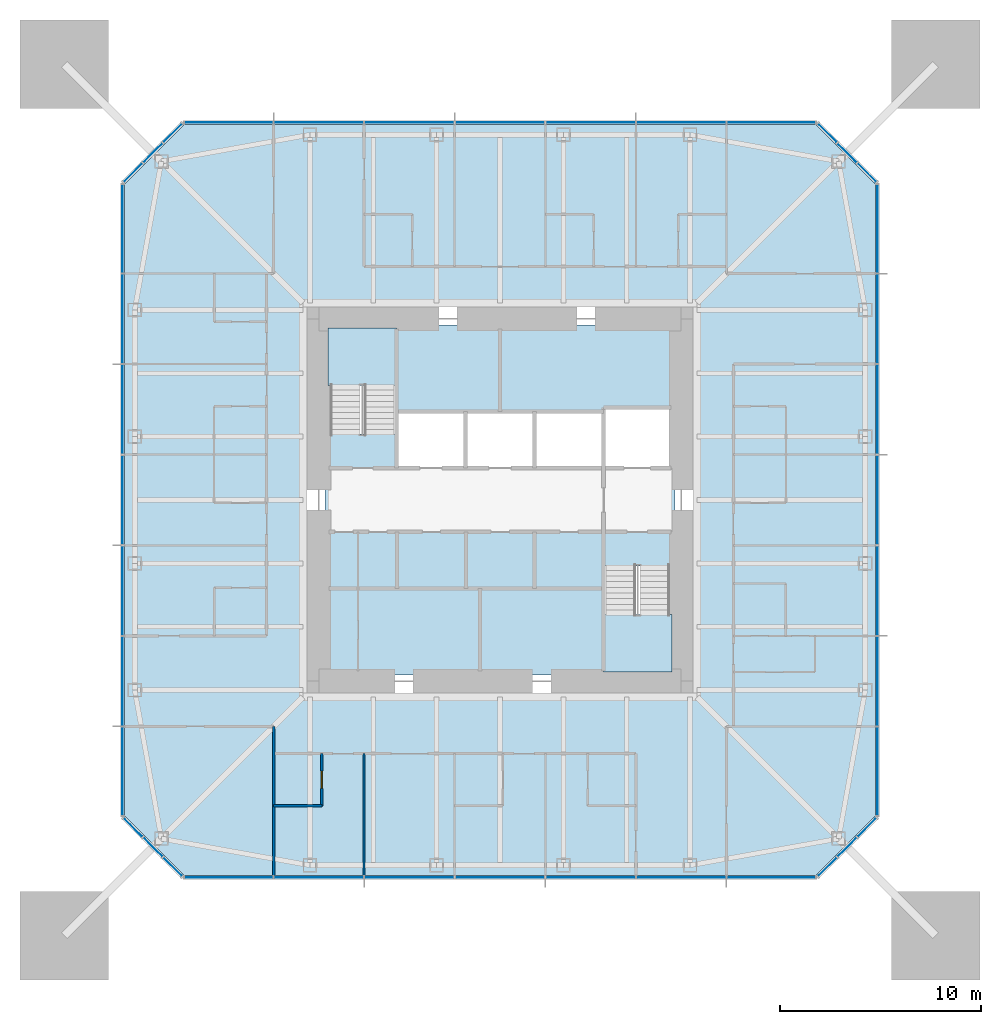
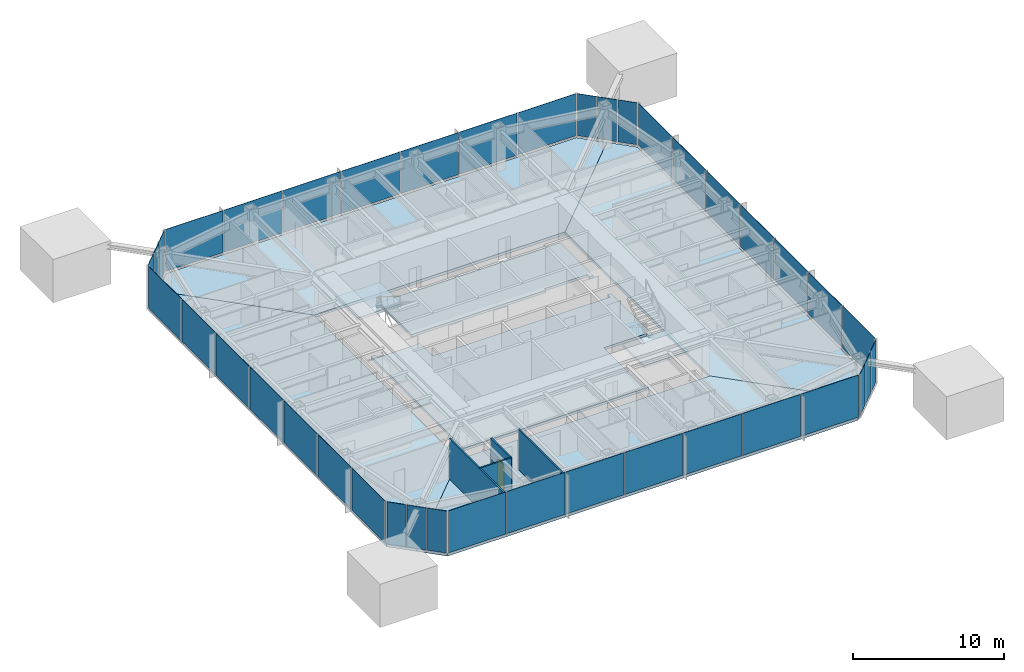
# One storey, part 5 of 12: 40 plates, 8 slabs, 4 walls, 1 door, 1 opening, 10 elements without a shape of their own.
"""IFC4 building model written with IfcOpenShell, lengths in metres."""

from ifc_helpers import new_model, si_unit, direction, frame, frame_2d, origin, origin_2d, place, context, subcontext, project, spatial, polyline, rectangle, outline, extrude, material, layer, layer_set, constituent, constituent_set, type_object, element, fill, aggregate, save


model = new_model("IFC4")

# Units and contexts
model_context = context("Model", 3, precision=1e-05, world=origin(), true_north=direction((0.0, 1.0)))
body_context = subcontext(model_context, "Body", "Model", "MODEL_VIEW")
ifc_project = project(units=[si_unit("LENGTHUNIT", "METRE"), si_unit("AREAUNIT", "SQUARE_METRE"), si_unit("VOLUMEUNIT", "CUBIC_METRE"), si_unit("PLANEANGLEUNIT", "RADIAN"), si_unit("MASSUNIT", "GRAM", prefix="KILO")], contexts=[model_context])

# Site, building, storey
site_placement = place(None, origin())
site = spatial("IfcSite", under=ifc_project, at=site_placement, CompositionType="ELEMENT")
building_placement = place(site_placement, origin())
building = spatial("IfcBuilding", under=site, at=building_placement, Name="Iwan Alto Co-Living Towers", CompositionType="ELEMENT")
storey_placement = place(building_placement, frame((0.0, 0.0, 153.0)))
storey = spatial("IfcBuildingStorey", under=building, at=storey_placement, Name="L41", CompositionType="ELEMENT", Elevation=153.0)

# Slabs
ifc_material_1 = material(Name="Concrete f'c 30 MPa", Category="concrete")
ifc_layer_1 = layer(ifc_material_1, 0.199951171875)
ifc_layer_set_1 = layer_set([ifc_layer_1], Name="CORE FLOOR SLAB 200")
slab_type_1 = type_object("IfcSlabType", Name="CORE FLOOR SLAB 200", PredefinedType="FLOOR", material=ifc_layer_set_1)
slab_1_placement = place(storey_placement, frame((0.0, 0.0, -0.199951171875)))
element("IfcSlab", 1, at=slab_1_placement, inside=storey, type_object=slab_type_1, Name="T1 core floor L41", PredefinedType="FLOOR", context=body_context, shape_type="SweptSolid", body=[
    extrude(outline(polyline([(5.14990234375, -8.39990234375), (5.4599609375, -8.39990234375), (5.4599609375, -8.699951171875), (-8.699951171875, -8.699951171875), (-8.699951171875, 3.580078125), (-8.39990234375, 3.580078125), (-8.39990234375, 3.27001953125), (-5.14990234375, 3.27001953125), (-5.14990234375, 1.60009765625), (-1.717041015625, 1.60009765625), (1.717041015625, 1.60009765625), (5.14990234375, 1.60009765625), (8.39990234375, 1.60009765625), (8.39990234375, 1.909912109375), (8.699951171875, 1.909912109375), (8.699951171875, -3.580078125), (8.39990234375, -3.580078125), (8.39990234375, -3.27001953125), (5.14990234375, -3.27001953125), (5.14990234375, -8.39990234375)])), origin(), (0.0, 0.0, 1.0), 0.199951171875),
])
slab_2_placement = place(storey_placement, frame((0.0, 0.0, -0.199951171875)))
element("IfcSlab", 2, at=slab_2_placement, inside=storey, type_object=slab_type_1, Name="T1 core floor L41", PredefinedType="FLOOR", context=body_context, shape_type="SweptSolid", body=[
    extrude(outline(polyline([(1.717041015625, 4.39990234375), (-1.717041015625, 4.39990234375), (-5.14990234375, 4.39990234375), (-5.14990234375, 8.39990234375), (-5.4599609375, 8.39990234375), (-5.4599609375, 8.699951171875), (8.699951171875, 8.699951171875), (8.699951171875, 4.2900390625), (8.39990234375, 4.2900390625), (8.39990234375, 4.60009765625), (5.14990234375, 4.60009765625), (5.14990234375, 4.39990234375), (1.717041015625, 4.39990234375)])), origin(), (0.0, 0.0, 1.0), 0.199951171875),
])

# Curtain wall, plates
ifc_material_2 = material(Name="Bronze aluminium unitised frame", Category="aluminium")
curtain_wall_type_1 = type_object("IfcCurtainWallType", Name="CURTAIN WALL CW-A", PredefinedType="NOTDEFINED", material=ifc_material_2)
curtain_wall_1_placement = place(storey_placement, origin())
curtain_wall_1 = element("IfcCurtainWall", 3, at=curtain_wall_1_placement, inside=storey, type_object=curtain_wall_type_1, Name="T1 curtain wall S L41", PredefinedType="NOTDEFINED")
ifc_material_3 = material(Name="Bronze-tinted insulating glass", Category="glass")
ifc_layer_2 = layer(ifc_material_3, 0.031982421875)
ifc_layer_set_2 = layer_set([ifc_layer_2], Name="CW-A PANEL TINTED IGU 32")
plate_type_1 = type_object("IfcPlateType", Name="CW-A PANEL TINTED IGU 32", PredefinedType="CURTAIN_PANEL", material=ifc_layer_set_2)
plate_1_placement = place(storey_placement, frame((-13.47998046875, -18.75, 0.10009765625), z_axis=(0.0, 0.0, 1.0), x_axis=(1.0, 0.0, 0.0)))
plate_1 = element("IfcPlate", 4, at=plate_1_placement, type_object=plate_type_1, Name="CW-A panel 1.1", PredefinedType="CURTAIN_PANEL", context=body_context, shape_type="SweptSolid", body=[
    extrude(rectangle(XDim=4.3798828125, YDim=0.031982421875, at=origin_2d()), origin(), (0.0, 0.0, 1.0), 3.39990234375),
])
plate_2_placement = place(storey_placement, frame((-9.0, -18.75, 0.10009765625), z_axis=(0.0, 0.0, 1.0), x_axis=(1.0, 0.0, 0.0)))
plate_2 = element("IfcPlate", 5, at=plate_2_placement, type_object=plate_type_1, Name="CW-A panel 2.1", PredefinedType="CURTAIN_PANEL", context=body_context, shape_type="SweptSolid", body=[
    extrude(rectangle(XDim=4.419921875, YDim=0.031982421875, at=origin_2d()), origin(), (0.0, 0.0, 1.0), 3.39990234375),
])
plate_3_placement = place(storey_placement, frame((-4.5, -18.75, 0.10009765625), z_axis=(0.0, 0.0, 1.0), x_axis=(1.0, 0.0, 0.0)))
plate_3 = element("IfcPlate", 6, at=plate_3_placement, type_object=plate_type_1, Name="CW-A panel 3.1", PredefinedType="CURTAIN_PANEL", context=body_context, shape_type="SweptSolid", body=[
    extrude(rectangle(XDim=4.419921875, YDim=0.031982421875, at=origin_2d()), origin(), (0.0, 0.0, 1.0), 3.39990234375),
])
plate_4_placement = place(storey_placement, frame((0.0, -18.75, 0.10009765625), z_axis=(0.0, 0.0, 1.0), x_axis=(1.0, 0.0, 0.0)))
plate_4 = element("IfcPlate", 7, at=plate_4_placement, type_object=plate_type_1, Name="CW-A panel 4.1", PredefinedType="CURTAIN_PANEL", context=body_context, shape_type="SweptSolid", body=[
    extrude(rectangle(XDim=4.419921875, YDim=0.031982421875, at=origin_2d()), origin(), (0.0, 0.0, 1.0), 3.39990234375),
])
plate_5_placement = place(storey_placement, frame((4.5, -18.75, 0.10009765625), z_axis=(0.0, 0.0, 1.0), x_axis=(1.0, 0.0, 0.0)))
plate_5 = element("IfcPlate", 8, at=plate_5_placement, type_object=plate_type_1, Name="CW-A panel 5.1", PredefinedType="CURTAIN_PANEL", context=body_context, shape_type="SweptSolid", body=[
    extrude(rectangle(XDim=4.419921875, YDim=0.031982421875, at=origin_2d()), origin(), (0.0, 0.0, 1.0), 3.39990234375),
])
plate_6_placement = place(storey_placement, frame((9.0, -18.75, 0.10009765625), z_axis=(0.0, 0.0, 1.0), x_axis=(1.0, 0.0, 0.0)))
plate_6 = element("IfcPlate", 9, at=plate_6_placement, type_object=plate_type_1, Name="CW-A panel 6.1", PredefinedType="CURTAIN_PANEL", context=body_context, shape_type="SweptSolid", body=[
    extrude(rectangle(XDim=4.419921875, YDim=0.031982421875, at=origin_2d()), origin(), (0.0, 0.0, 1.0), 3.39990234375),
])
plate_7_placement = place(storey_placement, frame((13.47998046875, -18.75, 0.10009765625), z_axis=(0.0, 0.0, 1.0), x_axis=(1.0, 0.0, 0.0)))
plate_7 = element("IfcPlate", 10, at=plate_7_placement, type_object=plate_type_1, Name="CW-A panel 7.1", PredefinedType="CURTAIN_PANEL", context=body_context, shape_type="SweptSolid", body=[
    extrude(rectangle(XDim=4.3798828125, YDim=0.031982421875, at=origin_2d()), origin(), (0.0, 0.0, 1.0), 3.39990234375),
])
aggregate(curtain_wall_1, [plate_1, plate_2, plate_3, plate_4, plate_5, plate_6, plate_7])

curtain_wall_2_placement = place(storey_placement, origin())
curtain_wall_2 = element("IfcCurtainWall", 11, at=curtain_wall_2_placement, inside=storey, type_object=curtain_wall_type_1, Name="T1 curtain wall E L41", PredefinedType="NOTDEFINED")
plate_8_placement = place(storey_placement, frame((18.75, -13.47998046875, 0.10009765625), z_axis=(0.0, 0.0, 1.0), x_axis=(0.0, 1.0, 0.0)))
plate_8 = element("IfcPlate", 12, at=plate_8_placement, type_object=plate_type_1, Name="CW-A panel 1.1", PredefinedType="CURTAIN_PANEL", context=body_context, shape_type="SweptSolid", body=[
    extrude(rectangle(XDim=4.3798828125, YDim=0.031982421875, at=origin_2d()), origin(), (0.0, 0.0, 1.0), 3.39990234375),
])
plate_9_placement = place(storey_placement, frame((18.75, -9.0, 0.10009765625), z_axis=(0.0, 0.0, 1.0), x_axis=(0.0, 1.0, 0.0)))
plate_9 = element("IfcPlate", 13, at=plate_9_placement, type_object=plate_type_1, Name="CW-A panel 2.1", PredefinedType="CURTAIN_PANEL", context=body_context, shape_type="SweptSolid", body=[
    extrude(rectangle(XDim=4.419921875, YDim=0.031982421875, at=origin_2d()), origin(), (0.0, 0.0, 1.0), 3.39990234375),
])
plate_10_placement = place(storey_placement, frame((18.75, -4.5, 0.10009765625), z_axis=(0.0, 0.0, 1.0), x_axis=(0.0, 1.0, 0.0)))
plate_10 = element("IfcPlate", 14, at=plate_10_placement, type_object=plate_type_1, Name="CW-A panel 3.1", PredefinedType="CURTAIN_PANEL", context=body_context, shape_type="SweptSolid", body=[
    extrude(rectangle(XDim=4.419921875, YDim=0.031982421875, at=origin_2d()), origin(), (0.0, 0.0, 1.0), 3.39990234375),
])
plate_11_placement = place(storey_placement, frame((18.75, 0.0, 0.10009765625), z_axis=(0.0, 0.0, 1.0), x_axis=(0.0, 1.0, 0.0)))
plate_11 = element("IfcPlate", 15, at=plate_11_placement, type_object=plate_type_1, Name="CW-A panel 4.1", PredefinedType="CURTAIN_PANEL", context=body_context, shape_type="SweptSolid", body=[
    extrude(rectangle(XDim=4.419921875, YDim=0.031982421875, at=origin_2d()), origin(), (0.0, 0.0, 1.0), 3.39990234375),
])
plate_12_placement = place(storey_placement, frame((18.75, 4.5, 0.10009765625), z_axis=(0.0, 0.0, 1.0), x_axis=(0.0, 1.0, 0.0)))
plate_12 = element("IfcPlate", 16, at=plate_12_placement, type_object=plate_type_1, Name="CW-A panel 5.1", PredefinedType="CURTAIN_PANEL", context=body_context, shape_type="SweptSolid", body=[
    extrude(rectangle(XDim=4.419921875, YDim=0.031982421875, at=origin_2d()), origin(), (0.0, 0.0, 1.0), 3.39990234375),
])
plate_13_placement = place(storey_placement, frame((18.75, 9.0, 0.10009765625), z_axis=(0.0, 0.0, 1.0), x_axis=(0.0, 1.0, 0.0)))
plate_13 = element("IfcPlate", 17, at=plate_13_placement, type_object=plate_type_1, Name="CW-A panel 6.1", PredefinedType="CURTAIN_PANEL", context=body_context, shape_type="SweptSolid", body=[
    extrude(rectangle(XDim=4.419921875, YDim=0.031982421875, at=origin_2d()), origin(), (0.0, 0.0, 1.0), 3.39990234375),
])
plate_14_placement = place(storey_placement, frame((18.75, 13.47998046875, 0.10009765625), z_axis=(0.0, 0.0, 1.0), x_axis=(0.0, 1.0, 0.0)))
plate_14 = element("IfcPlate", 18, at=plate_14_placement, type_object=plate_type_1, Name="CW-A panel 7.1", PredefinedType="CURTAIN_PANEL", context=body_context, shape_type="SweptSolid", body=[
    extrude(rectangle(XDim=4.3798828125, YDim=0.031982421875, at=origin_2d()), origin(), (0.0, 0.0, 1.0), 3.39990234375),
])
aggregate(curtain_wall_2, [plate_8, plate_9, plate_10, plate_11, plate_12, plate_13, plate_14])

curtain_wall_3_placement = place(storey_placement, origin())
curtain_wall_3 = element("IfcCurtainWall", 19, at=curtain_wall_3_placement, inside=storey, type_object=curtain_wall_type_1, Name="T1 curtain wall N L41", PredefinedType="NOTDEFINED")
plate_15_placement = place(storey_placement, frame((13.47998046875, 18.75, 0.10009765625), z_axis=(0.0, 0.0, 1.0), x_axis=(-1.0, 0.0, 0.0)))
plate_15 = element("IfcPlate", 20, at=plate_15_placement, type_object=plate_type_1, Name="CW-A panel 1.1", PredefinedType="CURTAIN_PANEL", context=body_context, shape_type="SweptSolid", body=[
    extrude(rectangle(XDim=4.3798828125, YDim=0.031982421875, at=origin_2d()), origin(), (0.0, 0.0, 1.0), 3.39990234375),
])
plate_16_placement = place(storey_placement, frame((9.0, 18.75, 0.10009765625), z_axis=(0.0, 0.0, 1.0), x_axis=(-1.0, 0.0, 0.0)))
plate_16 = element("IfcPlate", 21, at=plate_16_placement, type_object=plate_type_1, Name="CW-A panel 2.1", PredefinedType="CURTAIN_PANEL", context=body_context, shape_type="SweptSolid", body=[
    extrude(rectangle(XDim=4.419921875, YDim=0.031982421875, at=origin_2d()), origin(), (0.0, 0.0, 1.0), 3.39990234375),
])
plate_17_placement = place(storey_placement, frame((4.5, 18.75, 0.10009765625), z_axis=(0.0, 0.0, 1.0), x_axis=(-1.0, 0.0, 0.0)))
plate_17 = element("IfcPlate", 22, at=plate_17_placement, type_object=plate_type_1, Name="CW-A panel 3.1", PredefinedType="CURTAIN_PANEL", context=body_context, shape_type="SweptSolid", body=[
    extrude(rectangle(XDim=4.419921875, YDim=0.031982421875, at=origin_2d()), origin(), (0.0, 0.0, 1.0), 3.39990234375),
])
plate_18_placement = place(storey_placement, frame((0.0, 18.75, 0.10009765625), z_axis=(0.0, 0.0, 1.0), x_axis=(-1.0, 0.0, 0.0)))
plate_18 = element("IfcPlate", 23, at=plate_18_placement, type_object=plate_type_1, Name="CW-A panel 4.1", PredefinedType="CURTAIN_PANEL", context=body_context, shape_type="SweptSolid", body=[
    extrude(rectangle(XDim=4.419921875, YDim=0.031982421875, at=origin_2d()), origin(), (0.0, 0.0, 1.0), 3.39990234375),
])
plate_19_placement = place(storey_placement, frame((-4.5, 18.75, 0.10009765625), z_axis=(0.0, 0.0, 1.0), x_axis=(-1.0, 0.0, 0.0)))
plate_19 = element("IfcPlate", 24, at=plate_19_placement, type_object=plate_type_1, Name="CW-A panel 5.1", PredefinedType="CURTAIN_PANEL", context=body_context, shape_type="SweptSolid", body=[
    extrude(rectangle(XDim=4.419921875, YDim=0.031982421875, at=origin_2d()), origin(), (0.0, 0.0, 1.0), 3.39990234375),
])
plate_20_placement = place(storey_placement, frame((-9.0, 18.75, 0.10009765625), z_axis=(0.0, 0.0, 1.0), x_axis=(-1.0, 0.0, 0.0)))
plate_20 = element("IfcPlate", 25, at=plate_20_placement, type_object=plate_type_1, Name="CW-A panel 6.1", PredefinedType="CURTAIN_PANEL", context=body_context, shape_type="SweptSolid", body=[
    extrude(rectangle(XDim=4.419921875, YDim=0.031982421875, at=origin_2d()), origin(), (0.0, 0.0, 1.0), 3.39990234375),
])
plate_21_placement = place(storey_placement, frame((-13.47998046875, 18.75, 0.10009765625), z_axis=(0.0, 0.0, 1.0), x_axis=(-1.0, 0.0, 0.0)))
plate_21 = element("IfcPlate", 26, at=plate_21_placement, type_object=plate_type_1, Name="CW-A panel 7.1", PredefinedType="CURTAIN_PANEL", context=body_context, shape_type="SweptSolid", body=[
    extrude(rectangle(XDim=4.3798828125, YDim=0.031982421875, at=origin_2d()), origin(), (0.0, 0.0, 1.0), 3.39990234375),
])
aggregate(curtain_wall_3, [plate_15, plate_16, plate_17, plate_18, plate_19, plate_20, plate_21])

curtain_wall_4_placement = place(storey_placement, origin())
curtain_wall_4 = element("IfcCurtainWall", 27, at=curtain_wall_4_placement, inside=storey, type_object=curtain_wall_type_1, Name="T1 curtain wall W L41", PredefinedType="NOTDEFINED")
plate_22_placement = place(storey_placement, frame((-18.75, 13.47998046875, 0.10009765625), z_axis=(0.0, 0.0, 1.0), x_axis=(0.0, -1.0, 0.0)))
plate_22 = element("IfcPlate", 28, at=plate_22_placement, type_object=plate_type_1, Name="CW-A panel 1.1", PredefinedType="CURTAIN_PANEL", context=body_context, shape_type="SweptSolid", body=[
    extrude(rectangle(XDim=4.3798828125, YDim=0.031982421875, at=origin_2d()), origin(), (0.0, 0.0, 1.0), 3.39990234375),
])
plate_23_placement = place(storey_placement, frame((-18.75, 9.0, 0.10009765625), z_axis=(0.0, 0.0, 1.0), x_axis=(0.0, -1.0, 0.0)))
plate_23 = element("IfcPlate", 29, at=plate_23_placement, type_object=plate_type_1, Name="CW-A panel 2.1", PredefinedType="CURTAIN_PANEL", context=body_context, shape_type="SweptSolid", body=[
    extrude(rectangle(XDim=4.419921875, YDim=0.031982421875, at=origin_2d()), origin(), (0.0, 0.0, 1.0), 3.39990234375),
])
plate_24_placement = place(storey_placement, frame((-18.75, 4.5, 0.10009765625), z_axis=(0.0, 0.0, 1.0), x_axis=(0.0, -1.0, 0.0)))
plate_24 = element("IfcPlate", 30, at=plate_24_placement, type_object=plate_type_1, Name="CW-A panel 3.1", PredefinedType="CURTAIN_PANEL", context=body_context, shape_type="SweptSolid", body=[
    extrude(rectangle(XDim=4.419921875, YDim=0.031982421875, at=origin_2d()), origin(), (0.0, 0.0, 1.0), 3.39990234375),
])
plate_25_placement = place(storey_placement, frame((-18.75, 0.0, 0.10009765625), z_axis=(0.0, 0.0, 1.0), x_axis=(0.0, -1.0, 0.0)))
plate_25 = element("IfcPlate", 31, at=plate_25_placement, type_object=plate_type_1, Name="CW-A panel 4.1", PredefinedType="CURTAIN_PANEL", context=body_context, shape_type="SweptSolid", body=[
    extrude(rectangle(XDim=4.419921875, YDim=0.031982421875, at=origin_2d()), origin(), (0.0, 0.0, 1.0), 3.39990234375),
])
plate_26_placement = place(storey_placement, frame((-18.75, -4.5, 0.10009765625), z_axis=(0.0, 0.0, 1.0), x_axis=(0.0, -1.0, 0.0)))
plate_26 = element("IfcPlate", 32, at=plate_26_placement, type_object=plate_type_1, Name="CW-A panel 5.1", PredefinedType="CURTAIN_PANEL", context=body_context, shape_type="SweptSolid", body=[
    extrude(rectangle(XDim=4.419921875, YDim=0.031982421875, at=origin_2d()), origin(), (0.0, 0.0, 1.0), 3.39990234375),
])
plate_27_placement = place(storey_placement, frame((-18.75, -9.0, 0.10009765625), z_axis=(0.0, 0.0, 1.0), x_axis=(0.0, -1.0, 0.0)))
plate_27 = element("IfcPlate", 33, at=plate_27_placement, type_object=plate_type_1, Name="CW-A panel 6.1", PredefinedType="CURTAIN_PANEL", context=body_context, shape_type="SweptSolid", body=[
    extrude(rectangle(XDim=4.419921875, YDim=0.031982421875, at=origin_2d()), origin(), (0.0, 0.0, 1.0), 3.39990234375),
])
plate_28_placement = place(storey_placement, frame((-18.75, -13.47998046875, 0.10009765625), z_axis=(0.0, 0.0, 1.0), x_axis=(0.0, -1.0, 0.0)))
plate_28 = element("IfcPlate", 34, at=plate_28_placement, type_object=plate_type_1, Name="CW-A panel 7.1", PredefinedType="CURTAIN_PANEL", context=body_context, shape_type="SweptSolid", body=[
    extrude(rectangle(XDim=4.3798828125, YDim=0.031982421875, at=origin_2d()), origin(), (0.0, 0.0, 1.0), 3.39990234375),
])
aggregate(curtain_wall_4, [plate_22, plate_23, plate_24, plate_25, plate_26, plate_27, plate_28])

ifc_material_4 = material(Name="Bronze aluminium unitised frame", Category="aluminium")
curtain_wall_type_2 = type_object("IfcCurtainWallType", Name="CURTAIN WALL CW-B", PredefinedType="NOTDEFINED", material=ifc_material_4)
curtain_wall_5_placement = place(storey_placement, origin())
curtain_wall_5 = element("IfcCurtainWall", 35, at=curtain_wall_5_placement, inside=storey, type_object=curtain_wall_type_2, Name="T1 chamfer curtain wall SE L41", PredefinedType="NOTDEFINED")
ifc_material_5 = material(Name="Bronze-tinted insulating glass", Category="glass")
ifc_layer_3 = layer(ifc_material_5, 0.031982421875)
ifc_layer_set_3 = layer_set([ifc_layer_3], Name="CW-B PANEL TINTED IGU 32")
plate_type_2 = type_object("IfcPlateType", Name="CW-B PANEL TINTED IGU 32", PredefinedType="CURTAIN_PANEL", material=ifc_layer_set_3)
plate_29_placement = place(storey_placement, frame((16.26416015625, -18.23583984375, 0.10009765625), z_axis=(0.0, 0.0, 1.0), x_axis=(0.707106781187, 0.707106781187, 0.0)))
plate_29 = element("IfcPlate", 36, at=plate_29_placement, type_object=plate_type_2, Name="CW-B panel 1.1", PredefinedType="CURTAIN_PANEL", context=body_context, shape_type="SweptSolid", body=[
    extrude(rectangle(XDim=1.294189453125, YDim=0.031982421875, at=origin_2d()), origin(), (0.0, 0.0, 1.0), 3.39990234375),
])
plate_30_placement = place(storey_placement, frame((17.25, -17.25, 0.10009765625), z_axis=(0.0, 0.0, 1.0), x_axis=(0.707106781187, 0.707106781187, 0.0)))
plate_30 = element("IfcPlate", 37, at=plate_30_placement, type_object=plate_type_2, Name="CW-B panel 2.1", PredefinedType="CURTAIN_PANEL", context=body_context, shape_type="SweptSolid", body=[
    extrude(rectangle(XDim=1.334228515625, YDim=0.031982421875, at=origin_2d()), origin(), (0.0, 0.0, 1.0), 3.39990234375),
])
plate_31_placement = place(storey_placement, frame((18.23583984375, -16.26416015625, 0.10009765625), z_axis=(0.0, 0.0, 1.0), x_axis=(0.707106781187, 0.707106781187, 0.0)))
plate_31 = element("IfcPlate", 38, at=plate_31_placement, type_object=plate_type_2, Name="CW-B panel 3.1", PredefinedType="CURTAIN_PANEL", context=body_context, shape_type="SweptSolid", body=[
    extrude(rectangle(XDim=1.294189453125, YDim=0.031982421875, at=origin_2d()), origin(), (0.0, 0.0, 1.0), 3.39990234375),
])
aggregate(curtain_wall_5, [plate_29, plate_30, plate_31])

curtain_wall_6_placement = place(storey_placement, origin())
curtain_wall_6 = element("IfcCurtainWall", 39, at=curtain_wall_6_placement, inside=storey, type_object=curtain_wall_type_2, Name="T1 chamfer curtain wall NE L41", PredefinedType="NOTDEFINED")
plate_32_placement = place(storey_placement, frame((18.23583984375, 16.26416015625, 0.10009765625), z_axis=(0.0, 0.0, 1.0), x_axis=(-0.707106781187, 0.707106781187, 0.0)))
plate_32 = element("IfcPlate", 40, at=plate_32_placement, type_object=plate_type_2, Name="CW-B panel 1.1", PredefinedType="CURTAIN_PANEL", context=body_context, shape_type="SweptSolid", body=[
    extrude(rectangle(XDim=1.294189453125, YDim=0.031982421875, at=origin_2d()), origin(), (0.0, 0.0, 1.0), 3.39990234375),
])
plate_33_placement = place(storey_placement, frame((17.25, 17.25, 0.10009765625), z_axis=(0.0, 0.0, 1.0), x_axis=(-0.707106781187, 0.707106781187, 0.0)))
plate_33 = element("IfcPlate", 41, at=plate_33_placement, type_object=plate_type_2, Name="CW-B panel 2.1", PredefinedType="CURTAIN_PANEL", context=body_context, shape_type="SweptSolid", body=[
    extrude(rectangle(XDim=1.334228515625, YDim=0.031982421875, at=origin_2d()), origin(), (0.0, 0.0, 1.0), 3.39990234375),
])
plate_34_placement = place(storey_placement, frame((16.26416015625, 18.23583984375, 0.10009765625), z_axis=(0.0, 0.0, 1.0), x_axis=(-0.707106781187, 0.707106781187, 0.0)))
plate_34 = element("IfcPlate", 42, at=plate_34_placement, type_object=plate_type_2, Name="CW-B panel 3.1", PredefinedType="CURTAIN_PANEL", context=body_context, shape_type="SweptSolid", body=[
    extrude(rectangle(XDim=1.294189453125, YDim=0.031982421875, at=origin_2d()), origin(), (0.0, 0.0, 1.0), 3.39990234375),
])
aggregate(curtain_wall_6, [plate_32, plate_33, plate_34])

curtain_wall_7_placement = place(storey_placement, origin())
curtain_wall_7 = element("IfcCurtainWall", 43, at=curtain_wall_7_placement, inside=storey, type_object=curtain_wall_type_2, Name="T1 chamfer curtain wall NW L41", PredefinedType="NOTDEFINED")
plate_35_placement = place(storey_placement, frame((-16.26416015625, 18.23583984375, 0.10009765625), z_axis=(0.0, 0.0, 1.0), x_axis=(-0.707106781187, -0.707106781187, 0.0)))
plate_35 = element("IfcPlate", 44, at=plate_35_placement, type_object=plate_type_2, Name="CW-B panel 1.1", PredefinedType="CURTAIN_PANEL", context=body_context, shape_type="SweptSolid", body=[
    extrude(rectangle(XDim=1.294189453125, YDim=0.031982421875, at=origin_2d()), origin(), (0.0, 0.0, 1.0), 3.39990234375),
])
plate_36_placement = place(storey_placement, frame((-17.25, 17.25, 0.10009765625), z_axis=(0.0, 0.0, 1.0), x_axis=(-0.707106781187, -0.707106781187, 0.0)))
plate_36 = element("IfcPlate", 45, at=plate_36_placement, type_object=plate_type_2, Name="CW-B panel 2.1", PredefinedType="CURTAIN_PANEL", context=body_context, shape_type="SweptSolid", body=[
    extrude(rectangle(XDim=1.334228515625, YDim=0.031982421875, at=origin_2d()), origin(), (0.0, 0.0, 1.0), 3.39990234375),
])
plate_37_placement = place(storey_placement, frame((-18.23583984375, 16.26416015625, 0.10009765625), z_axis=(0.0, 0.0, 1.0), x_axis=(-0.707106781187, -0.707106781187, 0.0)))
plate_37 = element("IfcPlate", 46, at=plate_37_placement, type_object=plate_type_2, Name="CW-B panel 3.1", PredefinedType="CURTAIN_PANEL", context=body_context, shape_type="SweptSolid", body=[
    extrude(rectangle(XDim=1.294189453125, YDim=0.031982421875, at=origin_2d()), origin(), (0.0, 0.0, 1.0), 3.39990234375),
])
aggregate(curtain_wall_7, [plate_35, plate_36, plate_37])

curtain_wall_8_placement = place(storey_placement, origin())
curtain_wall_8 = element("IfcCurtainWall", 47, at=curtain_wall_8_placement, inside=storey, type_object=curtain_wall_type_2, Name="T1 chamfer curtain wall SW L41", PredefinedType="NOTDEFINED")
plate_38_placement = place(storey_placement, frame((-18.23583984375, -16.26416015625, 0.10009765625), z_axis=(0.0, 0.0, 1.0), x_axis=(0.707106781187, -0.707106781187, 0.0)))
plate_38 = element("IfcPlate", 48, at=plate_38_placement, type_object=plate_type_2, Name="CW-B panel 1.1", PredefinedType="CURTAIN_PANEL", context=body_context, shape_type="SweptSolid", body=[
    extrude(rectangle(XDim=1.294189453125, YDim=0.031982421875, at=origin_2d()), origin(), (0.0, 0.0, 1.0), 3.39990234375),
])
plate_39_placement = place(storey_placement, frame((-17.25, -17.25, 0.10009765625), z_axis=(0.0, 0.0, 1.0), x_axis=(0.707106781187, -0.707106781187, 0.0)))
plate_39 = element("IfcPlate", 49, at=plate_39_placement, type_object=plate_type_2, Name="CW-B panel 2.1", PredefinedType="CURTAIN_PANEL", context=body_context, shape_type="SweptSolid", body=[
    extrude(rectangle(XDim=1.334228515625, YDim=0.031982421875, at=origin_2d()), origin(), (0.0, 0.0, 1.0), 3.39990234375),
])
plate_40_placement = place(storey_placement, frame((-16.26416015625, -18.23583984375, 0.10009765625), z_axis=(0.0, 0.0, 1.0), x_axis=(0.707106781187, -0.707106781187, 0.0)))
plate_40 = element("IfcPlate", 50, at=plate_40_placement, type_object=plate_type_2, Name="CW-B panel 3.1", PredefinedType="CURTAIN_PANEL", context=body_context, shape_type="SweptSolid", body=[
    extrude(rectangle(XDim=1.294189453125, YDim=0.031982421875, at=origin_2d()), origin(), (0.0, 0.0, 1.0), 3.39990234375),
])
aggregate(curtain_wall_8, [plate_38, plate_39, plate_40])

# Stair, slab
ifc_material_6 = material(Name="Steel ASTM A36", Category="steel")
ifc_constituent_1 = constituent(ifc_material_6, Name="Stringers", Category="LoadBearing")
ifc_material_7 = material(Name="Concrete f'c 30 MPa", Category="concrete")
ifc_constituent_2 = constituent(ifc_material_7, Name="Tread fill", Category="Finish")
ifc_constituent_set = constituent_set(constituents=[ifc_constituent_1, ifc_constituent_2], Name="STAIR 3500 TWO-FLIGHT T1 CORE")
stair_type = type_object("IfcStairType", Name="STAIR 3500 TWO-FLIGHT T1 CORE", PredefinedType="HALF_TURN_STAIR", material=ifc_constituent_set)
stair_1_placement = place(storey_placement, origin())
stair_1 = element("IfcStair", 51, at=stair_1_placement, inside=storey, type_object=stair_type, Name="Stair T1-S1 L41 to L42", PredefinedType="HALF_TURN_STAIR")
ifc_material_8 = material(Name="Concrete f'c 30 MPa", Category="concrete")
ifc_layer_4 = layer(ifc_material_8, 0.199951171875)
ifc_layer_set_4 = layer_set([ifc_layer_4], Name="STAIR LANDING 200")
slab_type_2 = type_object("IfcSlabType", Name="STAIR LANDING 200", PredefinedType="LANDING", material=ifc_layer_set_4)
slab_3_placement = place(storey_placement, frame((0.0, 0.0, 1.550048828125)))
slab_3 = element("IfcSlab", 52, at=slab_3_placement, type_object=slab_type_2, Name="T1-S1 landing 1", PredefinedType="LANDING", context=body_context, shape_type="SweptSolid", body=[
    extrude(outline(polyline([(-8.550048828125, 5.68994140625), (-8.550048828125, 8.550048828125), (-5.14990234375, 8.550048828125), (-5.14990234375, 5.68994140625), (-8.550048828125, 5.68994140625)])), origin(), (0.0, 0.0, 1.0), 0.199951171875),
])
aggregate(stair_1, [slab_3])

stair_2_placement = place(storey_placement, origin())
stair_2 = element("IfcStair", 53, at=stair_2_placement, inside=storey, type_object=stair_type, Name="Stair T1-S2 L41 to L42", PredefinedType="HALF_TURN_STAIR")
slab_4_placement = place(storey_placement, frame((0.0, 0.0, 1.550048828125)))
slab_4 = element("IfcSlab", 54, at=slab_4_placement, type_object=slab_type_2, Name="T1-S2 landing 1", PredefinedType="LANDING", context=body_context, shape_type="SweptSolid", body=[
    extrude(outline(polyline([(5.14990234375, -5.68994140625), (5.14990234375, -8.550048828125), (8.550048828125, -8.550048828125), (8.550048828125, -5.68994140625), (5.14990234375, -5.68994140625)])), origin(), (0.0, 0.0, 1.0), 0.199951171875),
])
aggregate(stair_2, [slab_4])

# Slabs
ifc_material_9 = material(Name="Concrete f'c 30 MPa", Category="concrete")
ifc_layer_5 = layer(ifc_material_9, 0.22998046875)
ifc_layer_set_5 = layer_set([ifc_layer_5], Name="T1 FLOOR SLAB 230")
slab_type_3 = type_object("IfcSlabType", Name="T1 FLOOR SLAB 230", PredefinedType="FLOOR", material=ifc_layer_set_5)
slab_5_placement = place(storey_placement, frame((0.0, 0.0, -0.22998046875)))
element("IfcSlab", 55, at=slab_5_placement, inside=storey, type_object=slab_type_3, Name="T1 floor slab L41 S pour", PredefinedType="FLOOR", context=body_context, shape_type="SweptSolid", body=[
    extrude(outline(polyline([(15.69140625, -18.64990234375), (-15.69140625, -18.64990234375), (-17.170654296875, -17.170654296875), (-9.60009765625, -9.60009765625), (9.60009765625, -9.60009765625), (17.170654296875, -17.170654296875), (15.69140625, -18.64990234375)])), origin(), (0.0, 0.0, 1.0), 0.22998046875),
])
slab_6_placement = place(storey_placement, frame((0.0, 0.0, -0.22998046875)))
element("IfcSlab", 56, at=slab_6_placement, inside=storey, type_object=slab_type_3, Name="T1 floor slab L41 E pour", PredefinedType="FLOOR", context=body_context, shape_type="SweptSolid", body=[
    extrude(outline(polyline([(18.64990234375, 15.69140625), (18.64990234375, -15.69140625), (17.170654296875, -17.170654296875), (9.60009765625, -9.60009765625), (9.60009765625, 9.60009765625), (17.170654296875, 17.170654296875), (18.64990234375, 15.69140625)])), origin(), (0.0, 0.0, 1.0), 0.22998046875),
])
slab_7_placement = place(storey_placement, frame((0.0, 0.0, -0.22998046875)))
element("IfcSlab", 57, at=slab_7_placement, inside=storey, type_object=slab_type_3, Name="T1 floor slab L41 N pour", PredefinedType="FLOOR", context=body_context, shape_type="SweptSolid", body=[
    extrude(outline(polyline([(-15.69140625, 18.64990234375), (15.69140625, 18.64990234375), (17.170654296875, 17.170654296875), (9.60009765625, 9.60009765625), (-9.60009765625, 9.60009765625), (-17.170654296875, 17.170654296875), (-15.69140625, 18.64990234375)])), origin(), (0.0, 0.0, 1.0), 0.22998046875),
])
slab_8_placement = place(storey_placement, frame((0.0, 0.0, -0.22998046875)))
element("IfcSlab", 58, at=slab_8_placement, inside=storey, type_object=slab_type_3, Name="T1 floor slab L41 W pour", PredefinedType="FLOOR", context=body_context, shape_type="SweptSolid", body=[
    extrude(outline(polyline([(-18.64990234375, 15.69140625), (-17.170654296875, 17.170654296875), (-9.60009765625, 9.60009765625), (-9.60009765625, -9.60009765625), (-17.170654296875, -17.170654296875), (-18.64990234375, -15.69140625), (-18.64990234375, 15.69140625)])), origin(), (0.0, 0.0, 1.0), 0.22998046875),
])

# Walls
ifc_material_10 = material(Name="Gypsum board")
ifc_layer_6 = layer(ifc_material_10, 0.012451171875, Name="Board", Category="Finish")
ifc_material_11 = material(Name="Steel ASTM A1003 ST33H cold-formed studs", Category="steel")
ifc_layer_7 = layer(ifc_material_11, 0.074951171875, Name="Studs", Category="Framing")
ifc_layer_8 = layer(ifc_material_10, 0.012451171875, Name="Board", Category="Finish")
ifc_layer_set_6 = layer_set([ifc_layer_6, ifc_layer_7, ifc_layer_8], Name="PARTITION 100")
wall_type_1 = type_object("IfcWallType", Name="PARTITION 100", PredefinedType="PARTITIONING", material=ifc_layer_set_6)
wall_1_placement = place(storey_placement, frame((-6.75, -18.68994140625, 0.0), z_axis=(0.0, 0.0, 1.0), x_axis=(0.0, 1.0, 0.0)))
element("IfcWall", 59, at=wall_1_placement, inside=storey, type_object=wall_type_1, Name="Partition L41", PredefinedType="PARTITIONING", context=body_context, shape_type="SweptSolid", body=[
    extrude(rectangle(XDim=6.08984375, YDim=0.10009765625, at=frame_2d((3.044921875, 0.0))), origin(), (0.0, 0.0, 1.0), 3.27001953125),
])
ifc_material_12 = material(Name="Cement board")
ifc_layer_9 = layer(ifc_material_12, 0.012451171875, Name="Board", Category="Finish")
ifc_layer_10 = layer(ifc_material_11, 0.094970703125, Name="Studs", Category="Framing")
ifc_layer_11 = layer(ifc_material_12, 0.012451171875, Name="Board", Category="Finish")
ifc_layer_set_7 = layer_set([ifc_layer_9, ifc_layer_10, ifc_layer_11], Name="WET AREA PARTITION 120")
wall_type_2 = type_object("IfcWallType", Name="WET AREA PARTITION 120", PredefinedType="PARTITIONING", material=ifc_layer_set_7)
wall_2_placement = place(storey_placement, frame((-11.25, -15.199951171875, 0.0), z_axis=(0.0, 0.0, 1.0), x_axis=(1.0, 0.0, 0.0)))
element("IfcWall", 60, at=wall_2_placement, inside=storey, type_object=wall_type_2, Name="Partition L41", PredefinedType="PARTITIONING", context=body_context, shape_type="SweptSolid", body=[
    extrude(rectangle(XDim=2.39990234375, YDim=0.1201171875, at=frame_2d((1.199951171875, 0.0))), origin(), (0.0, 0.0, 1.0), 3.27001953125),
])

# Wall, opening, door
wall_3_placement = place(storey_placement, frame((-8.85009765625, -15.199951171875, 0.0), z_axis=(0.0, 0.0, 1.0), x_axis=(0.0, 1.0, 0.0)))
wall_3 = element("IfcWall", 61, at=wall_3_placement, inside=storey, type_object=wall_type_2, Name="Partition L41", PredefinedType="PARTITIONING", context=body_context, shape_type="SweptSolid", body=[
    extrude(rectangle(XDim=2.599853515625, YDim=0.1201171875, at=frame_2d((1.2998046875, 0.0))), origin(), (0.0, 0.0, 1.0), 3.27001953125),
])
opening_placement = place(wall_3_placement, frame((0.875, 0.0, 0.0)))
opening = element("IfcOpeningElement", 62, at=opening_placement, cuts=wall_3, Name="Opening D2", PredefinedType="OPENING", context=body_context, shape_type="SweptSolid", body=[
    extrude(rectangle(XDim=0.85009765625, YDim=2.10009765625, at=frame_2d((0.425048828125, 1.050048828125))), frame((0.0, 0.070068359375, 0.0), z_axis=(0.0, -1.0, 0.0), x_axis=(1.0, 0.0, 0.0)), (0.0, 0.0, 1.0), 0.14013671875),
])
ifc_material_13 = material(Name="Timber leaf in steel frame", Category="steel")
door_type = type_object("IfcDoorType", Name="ROOM DOOR 850X2100", OperationType="SINGLE_SWING_LEFT", PredefinedType="DOOR", material=ifc_material_13)
door_placement = place(opening_placement, frame((0.85009765625, 0.0, 0.0), z_axis=(0.0, 0.0, 1.0), x_axis=(-1.0, 0.0, 0.0)))
door = element("IfcDoor", 63, at=door_placement, inside=storey, type_object=door_type, Name="En-suite shower room door L41", OperationType="SINGLE_SWING_LEFT", OverallHeight=2.10009765625, OverallWidth=0.85009765625, PredefinedType="DOOR", context=body_context, shape_type="SweptSolid", body=[
    extrude(rectangle(XDim=0.85009765625, YDim=2.10009765625, at=frame_2d((0.425048828125, 1.050048828125))), frame((0.0, 0.02490234375, 0.0), z_axis=(0.0, -1.0, 0.0), x_axis=(1.0, 0.0, 0.0)), (0.0, 0.0, 1.0), 0.050048828125),
])
fill(opening, door)

# Wall
wall_4_placement = place(storey_placement, frame((-11.25, -18.68994140625, 0.0), z_axis=(0.0, 0.0, 1.0), x_axis=(0.0, 1.0, 0.0)))
element("IfcWall", 64, at=wall_4_placement, inside=storey, type_object=wall_type_2, Name="Partition L41", PredefinedType="PARTITIONING", context=body_context, shape_type="SweptSolid", body=[
    extrude(rectangle(XDim=7.43994140625, YDim=0.1201171875, at=frame_2d((3.719970703125, 0.0))), origin(), (0.0, 0.0, 1.0), 3.27001953125),
])

save(model, "model.ifc")
